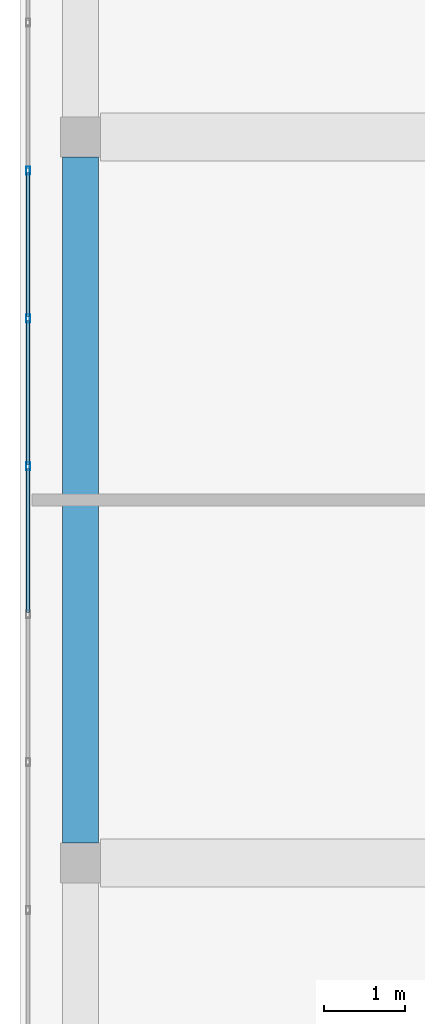
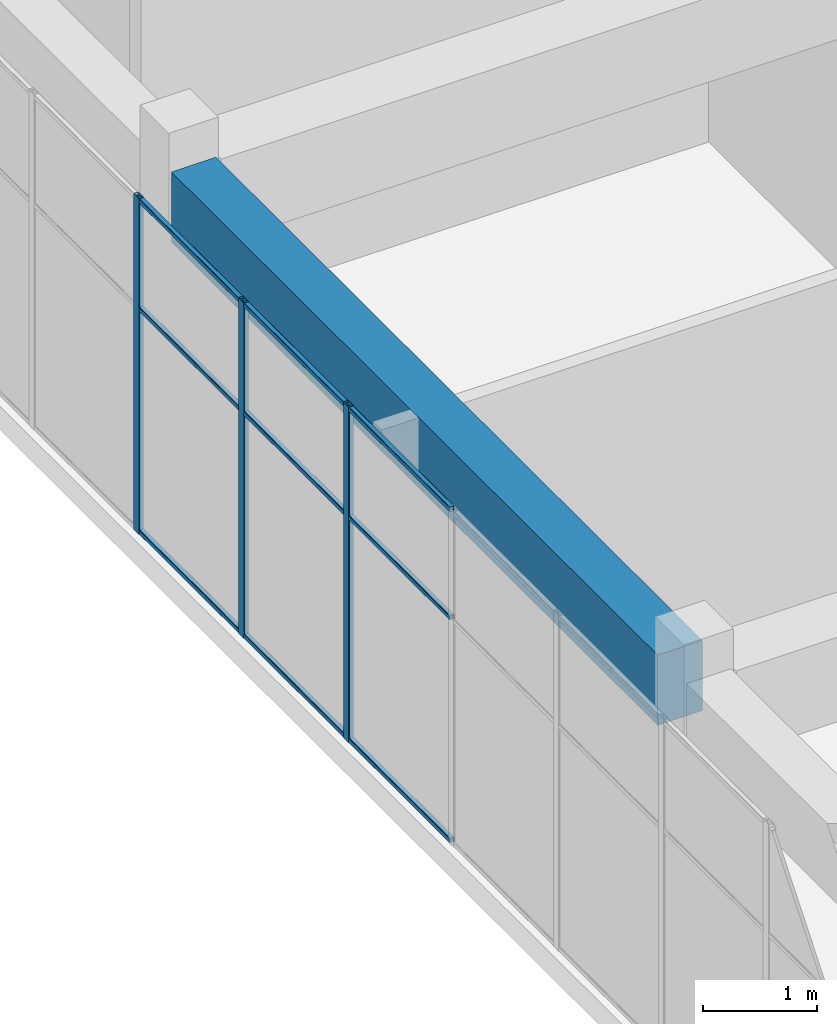
# One storey, part 12 of 36: 12 members, 1 beam, 1 element without a shape of its own.
"""IFC4 building model written with IfcOpenShell, lengths in metres."""

import ifcopenshell
import ifcopenshell.guid

model = None  # the IFC model being written
_history = None  # IfcOwnerHistory: only IFC2X3 demands one
_inside = {}  # id of a spatial element -> (the spatial element, [elements in it])
_under = {}  # id of a project, library or spatial element -> (it, [spatial elements below it])
_declared = {}  # id of a project -> (the project, [libraries it declares])
_typed = {}  # id of a type object -> (the type object, [elements of that type])
_made_of = {}  # id of a material, layer set ... -> (it, [elements and type objects made of it])


def new_model(schema):
    """Start an empty IFC model of exactly this schema.

    Asked for "IFC4X3", IfcOpenShell would pick the latest addendum, in which some entities
    have other attributes; the version numbers below select the first issue.
    IFC2X3 requires an IfcOwnerHistory on every rooted entity: one is made here for all.
    """
    global model, _history
    if schema == "IFC4X3":
        model = ifcopenshell.file(schema_version=(4, 3, 0, 0))
    else:
        model = ifcopenshell.file(schema=schema)
    _inside.clear()
    _under.clear()
    _declared.clear()
    _typed.clear()
    _made_of.clear()
    _history = None
    if model.schema == "IFC2X3":
        org = make("IfcOrganization", Name="unknown")
        user = make(
            "IfcPersonAndOrganization",
            ThePerson=make("IfcPerson", FamilyName="unknown"),
            TheOrganization=org,
        )
        app = make(
            "IfcApplication",
            ApplicationDeveloper=org,
            Version="unknown",
            ApplicationFullName="unknown",
            ApplicationIdentifier="unknown",
        )
        _history = make(
            "IfcOwnerHistory",
            OwningUser=user,
            OwningApplication=app,
            ChangeAction="ADDED",
            CreationDate=0,
        )
    return model


def make(cls, **values):
    """One entity of the class cls with the attributes given. An attribute that is None is left unset."""
    return model.create_entity(
        cls, **{name: value for name, value in values.items() if value is not None}
    )


def rooted(cls, **values):
    """An entity with a GlobalId (a new one), such as an element, a storey or a relation."""
    return make(cls, GlobalId=ifcopenshell.guid.new(), OwnerHistory=_history, **values)


def si_unit(unit_type, name, prefix=None):
    """IfcSIUnit, for example si_unit("LENGTHUNIT", "METRE", prefix="MILLI")."""
    return make("IfcSIUnit", UnitType=unit_type, Prefix=prefix, Name=name)


def assignment(units):
    """IfcUnitAssignment: the units of a project."""
    return None if units is None else make("IfcUnitAssignment", Units=units)


def point(xyz):
    """IfcCartesianPoint."""
    return None if xyz is None else make("IfcCartesianPoint", Coordinates=xyz)


def direction(xyz):
    """IfcDirection."""
    return None if xyz is None else make("IfcDirection", DirectionRatios=xyz)


def frame(location, z_axis=None, x_axis=None):
    """IfcAxis2Placement3D, a coordinate frame: its origin and axes. An axis left out is left unset."""
    return make(
        "IfcAxis2Placement3D",
        Location=point(location),
        Axis=direction(z_axis),
        RefDirection=direction(x_axis),
    )


def frame_2d(location, x_axis=None):
    """IfcAxis2Placement2D, a coordinate frame in the plane: its origin and x axis."""
    return make(
        "IfcAxis2Placement2D", Location=point(location), RefDirection=direction(x_axis)
    )


def origin():
    """The frame at (0, 0, 0) with its axes left unset."""
    return frame((0.0, 0.0, 0.0))


def origin_2d():
    """The frame at (0, 0) in the plane with its x axis left unset."""
    return frame_2d((0.0, 0.0))


def place(relative_to, where):
    """IfcLocalPlacement: puts the frame where relative to a parent placement (None: the world)."""
    return make(
        "IfcLocalPlacement", PlacementRelTo=relative_to, RelativePlacement=where
    )


def context(
    kind, dimensions, precision=None, world=None, true_north=None, identifier=None
):
    """IfcGeometricRepresentationContext, for example the 3D "Model" context."""
    return make(
        "IfcGeometricRepresentationContext",
        ContextIdentifier=identifier,
        ContextType=kind,
        CoordinateSpaceDimension=dimensions,
        Precision=precision,
        WorldCoordinateSystem=world,
        TrueNorth=true_north,
    )


def subcontext(parent, identifier, kind, view, scale=None):
    """IfcGeometricRepresentationSubContext, for example "Body" below "Model"."""
    return make(
        "IfcGeometricRepresentationSubContext",
        ContextIdentifier=identifier,
        ContextType=kind,
        ParentContext=parent,
        TargetScale=scale,
        TargetView=view,
    )


def project(units=None, contexts=None):
    """IfcProject with its units and contexts."""
    return rooted(
        "IfcProject",
        Name="project",
        RepresentationContexts=contexts,
        UnitsInContext=assignment(units),
    )


def spatial(cls, under=None, at=None, **own):
    """A site, building, storey or space (cls), placed at a placement, below another one or the project."""
    s = rooted(cls, ObjectPlacement=at, **own)
    if under is not None:
        _under.setdefault(under.id(), (under, []))[1].append(s)
    return s


def profile(cls, at=None, kind="AREA", **sizes):
    """A parametric profile (cls). Its sizes go by their IFC names, for example OverallWidth=200.0."""
    return make(cls, ProfileType=kind, Position=at, **sizes)


def rectangle(**sizes):
    """IfcRectangleProfileDef."""
    return profile("IfcRectangleProfileDef", **sizes)


def hollow_rectangle(**sizes):
    """IfcRectangleHollowProfileDef."""
    return profile("IfcRectangleHollowProfileDef", **sizes)


def extrude(swept, where, along, depth):
    """IfcExtrudedAreaSolid: the profile swept, set in the frame where, extruded along a direction by depth."""
    return make(
        "IfcExtrudedAreaSolid",
        SweptArea=swept,
        Position=where,
        ExtrudedDirection=direction(along),
        Depth=depth,
    )


def shape(context_of_items, identifier, shape_type, items):
    """IfcShapeRepresentation: the items that make up one representation, for example the "Body"."""
    return make(
        "IfcShapeRepresentation",
        ContextOfItems=context_of_items,
        RepresentationIdentifier=identifier,
        RepresentationType=shape_type,
        Items=items,
    )


def material(Name=None, Category=None):
    """IfcMaterial."""
    return make("IfcMaterial", Name=Name, Category=Category)


def layer(
    of_material, thickness, ventilated=None, Name=None, Category=None, Priority=None
):
    """IfcMaterialLayer: one layer of a wall or slab, of a material (None: an air gap)."""
    return make(
        "IfcMaterialLayer",
        Material=of_material,
        LayerThickness=thickness,
        IsVentilated=ventilated,
        Name=Name,
        Category=Category,
        Priority=Priority,
    )


def layer_set(layers, Name=None):
    """IfcMaterialLayerSet."""
    return make("IfcMaterialLayerSet", MaterialLayers=layers, LayerSetName=Name)


def material_profile(
    of_material, cross_section, Name=None, Category=None, Priority=None
):
    """IfcMaterialProfile: a cross section and its material."""
    return make(
        "IfcMaterialProfile",
        Name=Name,
        Material=of_material,
        Profile=cross_section,
        Priority=Priority,
        Category=Category,
    )


def profile_set(profiles, Name=None, composite=None):
    """IfcMaterialProfileSet."""
    return make(
        "IfcMaterialProfileSet",
        Name=Name,
        MaterialProfiles=profiles,
        CompositeProfile=composite,
    )


def made_of(thing, what):
    """Note that an element or type object is made of a material, layer set ...; save() writes the relation."""
    if what is not None:
        _made_of.setdefault(what.id(), (what, []))[1].append(thing)
    return thing


def type_object(cls, material=None, **own):
    """A type object (cls), such as IfcWallType, which elements share."""
    return made_of(rooted(cls, **own), material)


def element(
    cls,
    number,
    at=None,
    inside=None,
    cuts=None,
    type_object=None,
    material=None,
    context=None,
    identifier="Body",
    shape_type=None,
    held_by="IfcProductDefinitionShape",
    body=None,
    shapes=None,
    **own,
):
    """One element of the class cls, such as IfcWall. Its Tag is "e" and its number.

    at: its placement. inside: the storey or other place that contains it. cuts: it is an
    opening in that element (IfcRelVoidsElement). A single representation is given by context,
    identifier, shape_type and body (its items); several are given by shapes. held_by: the class
    of the entity that holds the representations. save() writes the other relations.
    """
    e = rooted(cls, Tag="e%d" % number, ObjectPlacement=at, **own)
    if body is not None:
        shapes = [shape(context, identifier, shape_type, body)]
    if shapes is not None:
        e.Representation = make(held_by, Representations=shapes)
    if inside is not None:
        _inside.setdefault(inside.id(), (inside, []))[1].append(e)
    if cuts is not None:
        rooted(
            "IfcRelVoidsElement", RelatingBuildingElement=cuts, RelatedOpeningElement=e
        )
    if type_object is not None:
        _typed.setdefault(type_object.id(), (type_object, []))[1].append(e)
    return made_of(e, material)


def aggregate(whole, parts):
    """IfcRelAggregates: a whole, such as a stair, and the parts it consists of."""
    return rooted("IfcRelAggregates", RelatingObject=whole, RelatedObjects=parts)


def save(model, path):
    """Write the relations noted so far, then the file.

    IfcRelAggregates (storeys below a building ...), IfcRelContainedInSpatialStructure (elements
    in a storey), IfcRelDefinesByType, IfcRelAssociatesMaterial and IfcRelDeclares: one each for
    every whole, place, type object, material and project.
    """
    for whole, parts in _under.values():
        aggregate(whole, parts)
    for where, things in _inside.values():
        rooted(
            "IfcRelContainedInSpatialStructure",
            RelatedElements=things,
            RelatingStructure=where,
        )
    for kind, things in _typed.values():
        rooted("IfcRelDefinesByType", RelatedObjects=things, RelatingType=kind)
    for what, things in _made_of.values():
        rooted("IfcRelAssociatesMaterial", RelatedObjects=things, RelatingMaterial=what)
    for by, libraries in _declared.values():
        rooted("IfcRelDeclares", RelatingContext=by, RelatedDefinitions=libraries)
    model.write(path)


model = new_model("IFC4")

# Units and contexts
model_context = context("Model", 3, precision=1e-05, world=origin(), true_north=direction((0.0, 1.0)))
body_context = subcontext(model_context, "Body", "Model", "MODEL_VIEW")
ifc_project = project(units=[si_unit("LENGTHUNIT", "METRE"), si_unit("AREAUNIT", "SQUARE_METRE"), si_unit("VOLUMEUNIT", "CUBIC_METRE"), si_unit("PLANEANGLEUNIT", "RADIAN"), si_unit("MASSUNIT", "GRAM", prefix="KILO")], contexts=[model_context])

# Site, building, storey
site_placement = place(None, origin())
site = spatial("IfcSite", under=ifc_project, at=site_placement, CompositionType="ELEMENT")
building_placement = place(site_placement, origin())
building = spatial("IfcBuilding", under=site, at=building_placement, Name="Tuart Plaza Theatre", CompositionType="ELEMENT")
storey_placement = place(building_placement, frame((0.0, 0.0, 61.5)))
storey = spatial("IfcBuildingStorey", under=building, at=storey_placement, Name="L15", CompositionType="ELEMENT", Elevation=61.5)

# Beam
ifc_material_1 = material(Name="Concrete N40 (40 MPa)", Category="concrete")
ifc_material_profile_1 = material_profile(ifc_material_1, rectangle(XDim=0.449951171875, YDim=0.75, at=origin_2d()), Name="BEAM 450x750 Concrete N40 (40 MPa)")
ifc_profile_set_1 = profile_set([ifc_material_profile_1], Name="Concrete N40 (40 MPa)")
beam_type = type_object("IfcBeamType", Name="BEAM 450x750 Concrete N40 (40 MPa)", PredefinedType="BEAM", material=ifc_profile_set_1)
beam_placement = place(storey_placement, frame((114.0, 74.25, 3.205078125), z_axis=(0.0, 1.0, 0.0), x_axis=(-1.0, 0.0, 0.0)))
element("IfcBeam", 1, at=beam_placement, inside=storey, type_object=beam_type, Name="RB320", PredefinedType="BEAM", context=body_context, shape_type="SweptSolid", body=[
    extrude(rectangle(XDim=0.449951171875, YDim=0.75, at=origin_2d()), origin(), (0.0, 0.0, 1.0), 8.5),
])

# Curtain wall, members
ifc_material_2 = material(Name="Aluminium and glass", Category="aluminium")
ifc_layer = layer(ifc_material_2, 0.10009765625)
ifc_layer_set = layer_set([ifc_layer], Name="CURTAIN WALL 1800 module")
curtain_wall_type = type_object("IfcCurtainWallType", Name="CURTAIN WALL 1800 module", PredefinedType="NOTDEFINED", material=ifc_layer_set)
curtain_wall_placement = place(storey_placement, origin())
curtain_wall = element("IfcCurtainWall", 2, at=curtain_wall_placement, inside=storey, type_object=curtain_wall_type, Name="CW118", PredefinedType="NOTDEFINED")
ifc_material_3 = material(Name="Aluminium 6063-T5", Category="aluminium")
ifc_material_profile_2 = material_profile(ifc_material_3, hollow_rectangle(XDim=0.050048828125, YDim=0.10009765625, WallThickness=0.00390625, InnerFilletRadius=0.00390625, OuterFilletRadius=0.008056640625, at=origin_2d()), Name="RHS 100x50x4")
ifc_profile_set_2 = profile_set([ifc_material_profile_2], Name="Aluminium 6063-T5")
member_type_1 = type_object("IfcMemberType", Name="MULLION RHS 100x50x4", PredefinedType="MULLION", material=ifc_profile_set_2)
member_1_placement = place(storey_placement, frame((113.35009765625, 82.583251953125, 0.0), z_axis=(0.0, 0.0, 1.0), x_axis=(1.0, 0.0, 0.0)))
member_1 = element("IfcMember", 3, at=member_1_placement, type_object=member_type_1, Name="CW118 mullion 9", PredefinedType="MULLION", context=body_context, shape_type="SweptSolid", body=[
    extrude(hollow_rectangle(XDim=0.050048828125, YDim=0.10009765625, WallThickness=0.00390625, InnerFilletRadius=0.00390625, OuterFilletRadius=0.008056640625, at=origin_2d()), origin(), (0.0, 0.0, 1.0), 3.580078125),
])
member_2_placement = place(storey_placement, frame((113.35009765625, 80.75, 0.0), z_axis=(0.0, 0.0, 1.0), x_axis=(1.0, 0.0, 0.0)))
member_2 = element("IfcMember", 4, at=member_2_placement, type_object=member_type_1, Name="CW118 mullion 10", PredefinedType="MULLION", context=body_context, shape_type="SweptSolid", body=[
    extrude(hollow_rectangle(XDim=0.050048828125, YDim=0.10009765625, WallThickness=0.00390625, InnerFilletRadius=0.00390625, OuterFilletRadius=0.008056640625, at=origin_2d()), origin(), (0.0, 0.0, 1.0), 3.580078125),
])
member_3_placement = place(storey_placement, frame((113.35009765625, 78.916748046875, 0.0), z_axis=(0.0, 0.0, 1.0), x_axis=(1.0, 0.0, 0.0)))
member_3 = element("IfcMember", 5, at=member_3_placement, type_object=member_type_1, Name="CW118 mullion 11", PredefinedType="MULLION", context=body_context, shape_type="SweptSolid", body=[
    extrude(hollow_rectangle(XDim=0.050048828125, YDim=0.10009765625, WallThickness=0.00390625, InnerFilletRadius=0.00390625, OuterFilletRadius=0.008056640625, at=origin_2d()), origin(), (0.0, 0.0, 1.0), 3.580078125),
])
ifc_material_4 = material(Name="Aluminium 6063-T5", Category="aluminium")
ifc_material_profile_3 = material_profile(ifc_material_4, hollow_rectangle(XDim=0.050048828125, YDim=0.050048828125, WallThickness=0.00390625, InnerFilletRadius=0.00390625, OuterFilletRadius=0.008056640625, at=origin_2d()), Name="RHS 50x50x4")
ifc_profile_set_3 = profile_set([ifc_material_profile_3], Name="Aluminium 6063-T5")
member_type_2 = type_object("IfcMemberType", Name="TRANSOM RHS 50x50x4", PredefinedType="USERDEFINED", material=ifc_profile_set_3)
member_4_placement = place(storey_placement, frame((113.35009765625, 82.558349609375, 0.02490234375), z_axis=(0.0, -1.0, 0.0), x_axis=(1.0, 0.0, 0.0)))
member_4 = element("IfcMember", 6, at=member_4_placement, type_object=member_type_2, Name="CW118 transom 9.1", ObjectType="TRANSOM", PredefinedType="USERDEFINED", context=body_context, shape_type="SweptSolid", body=[
    extrude(hollow_rectangle(XDim=0.050048828125, YDim=0.050048828125, WallThickness=0.00390625, InnerFilletRadius=0.00390625, OuterFilletRadius=0.008056640625, at=origin_2d()), origin(), (0.0, 0.0, 1.0), 1.783447265625),
])
member_5_placement = place(storey_placement, frame((113.35009765625, 82.558349609375, 2.39990234375), z_axis=(0.0, -1.0, 0.0), x_axis=(1.0, 0.0, 0.0)))
member_5 = element("IfcMember", 7, at=member_5_placement, type_object=member_type_2, Name="CW118 transom 9.2", ObjectType="TRANSOM", PredefinedType="USERDEFINED", context=body_context, shape_type="SweptSolid", body=[
    extrude(hollow_rectangle(XDim=0.050048828125, YDim=0.050048828125, WallThickness=0.00390625, InnerFilletRadius=0.00390625, OuterFilletRadius=0.008056640625, at=origin_2d()), origin(), (0.0, 0.0, 1.0), 1.783447265625),
])
member_6_placement = place(storey_placement, frame((113.35009765625, 82.558349609375, 3.554931640625), z_axis=(0.0, -1.0, 0.0), x_axis=(1.0, 0.0, 0.0)))
member_6 = element("IfcMember", 8, at=member_6_placement, type_object=member_type_2, Name="CW118 transom 9.3", ObjectType="TRANSOM", PredefinedType="USERDEFINED", context=body_context, shape_type="SweptSolid", body=[
    extrude(hollow_rectangle(XDim=0.050048828125, YDim=0.050048828125, WallThickness=0.00390625, InnerFilletRadius=0.00390625, OuterFilletRadius=0.008056640625, at=origin_2d()), origin(), (0.0, 0.0, 1.0), 1.783447265625),
])
member_7_placement = place(storey_placement, frame((113.35009765625, 80.72509765625, 0.02490234375), z_axis=(0.0, -1.0, 0.0), x_axis=(1.0, 0.0, 0.0)))
member_7 = element("IfcMember", 9, at=member_7_placement, type_object=member_type_2, Name="CW118 transom 10.1", ObjectType="TRANSOM", PredefinedType="USERDEFINED", context=body_context, shape_type="SweptSolid", body=[
    extrude(hollow_rectangle(XDim=0.050048828125, YDim=0.050048828125, WallThickness=0.00390625, InnerFilletRadius=0.00390625, OuterFilletRadius=0.008056640625, at=origin_2d()), origin(), (0.0, 0.0, 1.0), 1.783447265625),
])
member_8_placement = place(storey_placement, frame((113.35009765625, 80.72509765625, 2.39990234375), z_axis=(0.0, -1.0, 0.0), x_axis=(1.0, 0.0, 0.0)))
member_8 = element("IfcMember", 10, at=member_8_placement, type_object=member_type_2, Name="CW118 transom 10.2", ObjectType="TRANSOM", PredefinedType="USERDEFINED", context=body_context, shape_type="SweptSolid", body=[
    extrude(hollow_rectangle(XDim=0.050048828125, YDim=0.050048828125, WallThickness=0.00390625, InnerFilletRadius=0.00390625, OuterFilletRadius=0.008056640625, at=origin_2d()), origin(), (0.0, 0.0, 1.0), 1.783447265625),
])
member_9_placement = place(storey_placement, frame((113.35009765625, 80.72509765625, 3.554931640625), z_axis=(0.0, -1.0, 0.0), x_axis=(1.0, 0.0, 0.0)))
member_9 = element("IfcMember", 11, at=member_9_placement, type_object=member_type_2, Name="CW118 transom 10.3", ObjectType="TRANSOM", PredefinedType="USERDEFINED", context=body_context, shape_type="SweptSolid", body=[
    extrude(hollow_rectangle(XDim=0.050048828125, YDim=0.050048828125, WallThickness=0.00390625, InnerFilletRadius=0.00390625, OuterFilletRadius=0.008056640625, at=origin_2d()), origin(), (0.0, 0.0, 1.0), 1.783447265625),
])
member_10_placement = place(storey_placement, frame((113.35009765625, 78.8916015625, 0.02490234375), z_axis=(0.0, -1.0, 0.0), x_axis=(1.0, 0.0, 0.0)))
member_10 = element("IfcMember", 12, at=member_10_placement, type_object=member_type_2, Name="CW118 transom 11.1", ObjectType="TRANSOM", PredefinedType="USERDEFINED", context=body_context, shape_type="SweptSolid", body=[
    extrude(hollow_rectangle(XDim=0.050048828125, YDim=0.050048828125, WallThickness=0.00390625, InnerFilletRadius=0.00390625, OuterFilletRadius=0.008056640625, at=origin_2d()), origin(), (0.0, 0.0, 1.0), 1.783203125),
])
member_11_placement = place(storey_placement, frame((113.35009765625, 78.8916015625, 2.39990234375), z_axis=(0.0, -1.0, 0.0), x_axis=(1.0, 0.0, 0.0)))
member_11 = element("IfcMember", 13, at=member_11_placement, type_object=member_type_2, Name="CW118 transom 11.2", ObjectType="TRANSOM", PredefinedType="USERDEFINED", context=body_context, shape_type="SweptSolid", body=[
    extrude(hollow_rectangle(XDim=0.050048828125, YDim=0.050048828125, WallThickness=0.00390625, InnerFilletRadius=0.00390625, OuterFilletRadius=0.008056640625, at=origin_2d()), origin(), (0.0, 0.0, 1.0), 1.783203125),
])
member_12_placement = place(storey_placement, frame((113.35009765625, 78.8916015625, 3.554931640625), z_axis=(0.0, -1.0, 0.0), x_axis=(1.0, 0.0, 0.0)))
member_12 = element("IfcMember", 14, at=member_12_placement, type_object=member_type_2, Name="CW118 transom 11.3", ObjectType="TRANSOM", PredefinedType="USERDEFINED", context=body_context, shape_type="SweptSolid", body=[
    extrude(hollow_rectangle(XDim=0.050048828125, YDim=0.050048828125, WallThickness=0.00390625, InnerFilletRadius=0.00390625, OuterFilletRadius=0.008056640625, at=origin_2d()), origin(), (0.0, 0.0, 1.0), 1.783203125),
])
aggregate(curtain_wall, [member_1, member_2, member_3, member_4, member_5, member_6, member_7, member_8, member_9, member_10, member_11, member_12])

save(model, "model.ifc")
